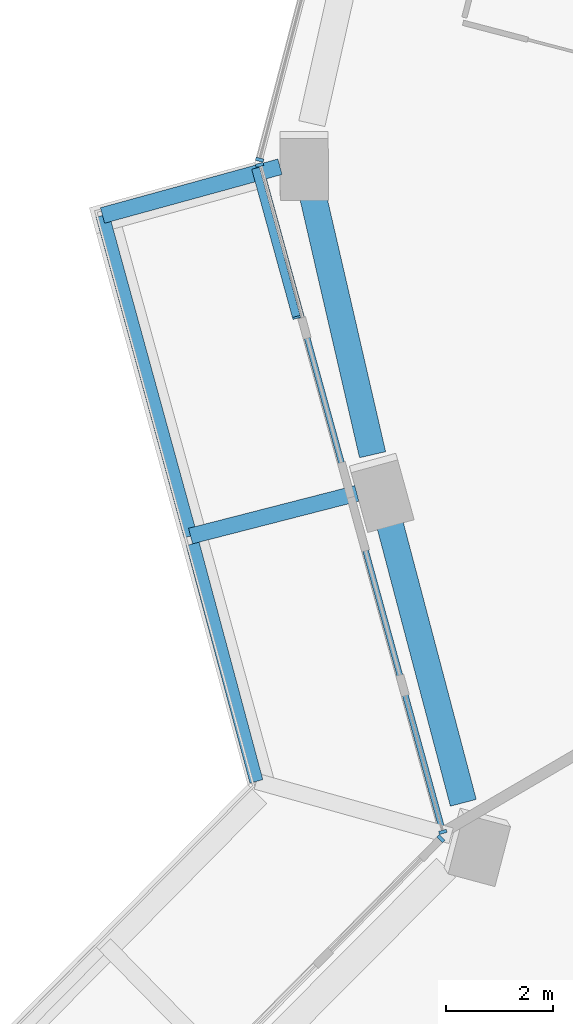
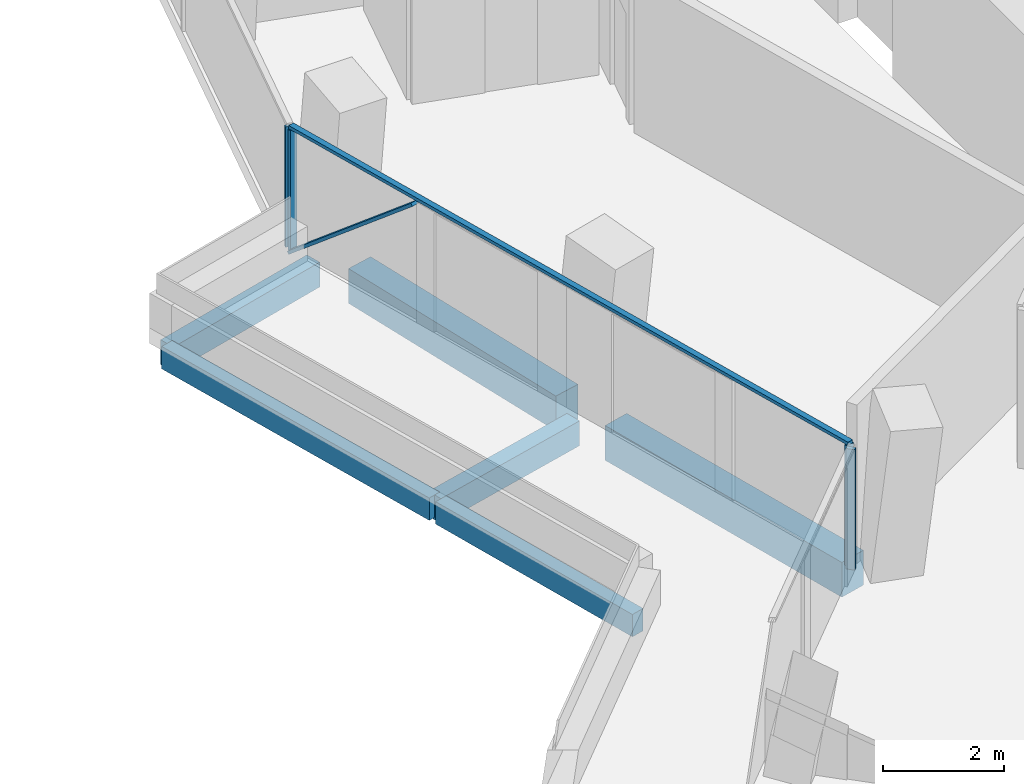
# One storey, part 4 of 26: 6 beams, 6 members, 3 elements without a shape of their own.
"""IFC4 building model written with IfcOpenShell, lengths in metres."""

from ifc_helpers import new_model, si_unit, direction, frame, origin, origin_2d, place, context, subcontext, project, spatial, rectangle, extrude, material, layer, layer_set, material_profile, profile_set, type_object, element, aggregate, save


model = new_model("IFC4")

# Units and contexts
model_context = context("Model", 3, precision=1e-05, world=origin(), true_north=direction((0.0, 1.0)))
body_context = subcontext(model_context, "Body", "Model", "MODEL_VIEW")
ifc_project = project(units=[si_unit("LENGTHUNIT", "METRE"), si_unit("AREAUNIT", "SQUARE_METRE"), si_unit("VOLUMEUNIT", "CUBIC_METRE"), si_unit("PLANEANGLEUNIT", "RADIAN"), si_unit("MASSUNIT", "GRAM", prefix="KILO")], contexts=[model_context])

# Site, building, storey
site_placement = place(None, origin())
site = spatial("IfcSite", under=ifc_project, at=site_placement, CompositionType="ELEMENT")
building_placement = place(site_placement, origin())
building = spatial("IfcBuilding", under=site, at=building_placement, Name="Verdalira Terraces Hotel", CompositionType="ELEMENT")
storey_placement = place(building_placement, frame((0.0, 0.0, 96.5)))
storey = spatial("IfcBuildingStorey", under=building, at=storey_placement, Name="L22", CompositionType="ELEMENT", Elevation=96.5)

# Beams
ifc_material_1 = material(Name="Concrete C40", Category="concrete")
ifc_material_profile_1 = material_profile(ifc_material_1, rectangle(XDim=0.300049, YDim=0.5, at=origin_2d()), Name="RC 300X500")
ifc_profile_set_1 = profile_set([ifc_material_profile_1], Name="Concrete C40")
beam_type_1 = type_object("IfcBeamType", Name="Balcony cantilever beam RC 300X500 C40", PredefinedType="BEAM", material=ifc_profile_set_1)
beam_1_placement = place(storey_placement, frame((-24.643311, -0.23999, -0.560059), z_axis=(-0.964284472, -0.264868754, 0.0), x_axis=(0.264868754, -0.964284472, 0.0)))
element("IfcBeam", 1, at=beam_1_placement, inside=storey, type_object=beam_type_1, Name="Balcony cantilever beam R13-3", PredefinedType="BEAM", context=body_context, shape_type="SweptSolid", body=[
    extrude(rectangle(XDim=0.300049, YDim=0.5, at=origin_2d()), origin(), (0.0, 0.0, 1.0), 3.431641),
])
beam_2_placement = place(storey_placement, frame((-23.209961, -6.331543, -0.560059), z_axis=(-0.968593247, -0.248650601, 0.0), x_axis=(0.248650601, -0.968593247, 0.0)))
element("IfcBeam", 2, at=beam_2_placement, inside=storey, type_object=beam_type_1, Name="Balcony cantilever beam R13-4", PredefinedType="BEAM", context=body_context, shape_type="SweptSolid", body=[
    extrude(rectangle(XDim=0.300049, YDim=0.5, at=origin_2d()), origin(), (0.0, 0.0, 1.0), 3.200928),
])
ifc_material_2 = material(Name="Concrete C40", Category="concrete")
ifc_material_profile_2 = material_profile(ifc_material_2, rectangle(XDim=0.25, YDim=0.449951, at=origin_2d()), Name="RC 250X450")
ifc_profile_set_2 = profile_set([ifc_material_profile_2], Name="Concrete C40")
beam_type_2 = type_object("IfcBeamType", Name="Balcony edge beam RC 250X450 C40", PredefinedType="BEAM", material=ifc_profile_set_2)
beam_3_placement = place(storey_placement, frame((-27.952393, -1.148926, -0.534912), z_axis=(0.264856273, -0.9642879, 0.0), x_axis=(0.9642879, 0.264856273, 0.0)))
element("IfcBeam", 3, at=beam_3_placement, inside=storey, type_object=beam_type_2, Name="Balcony edge beam R13-2", PredefinedType="BEAM", context=body_context, shape_type="SweptSolid", body=[
    extrude(rectangle(XDim=0.25, YDim=0.449951, at=origin_2d()), origin(), (0.0, 0.0, 1.0), 6.199951),
])
beam_4_placement = place(storey_placement, frame((-26.27124, -7.272461, -0.534912), z_axis=(0.259070432, -0.965858432, 0.0), x_axis=(0.965858432, 0.259070432, 0.0)))
element("IfcBeam", 4, at=beam_4_placement, inside=storey, type_object=beam_type_2, Name="Balcony edge beam R13-3", PredefinedType="BEAM", context=body_context, shape_type="SweptSolid", body=[
    extrude(rectangle(XDim=0.25, YDim=0.449951, at=origin_2d()), origin(), (0.0, 0.0, 1.0), 4.586426),
])

# Curtain wall, member
ifc_material_3 = material(Name="Clear glass", Category="glass")
ifc_layer_1 = layer(ifc_material_3, 0.14990234375)
ifc_layer_set_1 = layer_set([ifc_layer_1], Name="CW1 curtain wall")
curtain_wall_type_1 = type_object("IfcCurtainWallType", Name="CW1 curtain wall", PredefinedType="NOTDEFINED", material=ifc_layer_set_1)
curtain_wall_1_placement = place(storey_placement, origin())
curtain_wall_1 = element("IfcCurtainWall", 5, at=curtain_wall_1_placement, inside=storey, type_object=curtain_wall_type_1, Name="CW1 curtain wall L22 edge 12", PredefinedType="NOTDEFINED")
ifc_material_4 = material(Name="Terracotta frame", Category="masonry")
ifc_material_profile_3 = material_profile(ifc_material_4, rectangle(XDim=0.060059, YDim=0.149902, at=origin_2d()), Name="MU 60x150")
ifc_profile_set_3 = profile_set([ifc_material_profile_3], Name="Terracotta frame")
member_type_1 = type_object("IfcMemberType", Name="CW1 mullion 60x150", PredefinedType="MULLION", material=ifc_profile_set_3)
member_1_placement = place(storey_placement, frame((-25.023193, -0.108887, 0.0), z_axis=(0.0, 0.0, 1.0), x_axis=(-0.252744885, -0.967532957, 0.0)))
member_1 = element("IfcMember", 6, at=member_1_placement, type_object=member_type_1, Name="CW1 mullion", PredefinedType="MULLION", context=body_context, shape_type="SweptSolid", body=[
    extrude(rectangle(XDim=0.060059, YDim=0.149902, at=origin_2d()), origin(), (0.0, 0.0, 1.0), 2.425049),
])
aggregate(curtain_wall_1, [member_1])

# Curtain wall, members
curtain_wall_2_placement = place(storey_placement, origin())
curtain_wall_2 = element("IfcCurtainWall", 7, at=curtain_wall_2_placement, inside=storey, type_object=curtain_wall_type_1, Name="CW1 curtain wall L22 edge 13", PredefinedType="NOTDEFINED")
member_2_placement = place(storey_placement, frame((-25.022705, -0.205566, 0.0), z_axis=(0.0, 0.0, 1.0), x_axis=(0.264882987, -0.964280562, 0.0)))
member_2 = element("IfcMember", 8, at=member_2_placement, type_object=member_type_1, Name="CW1 mullion", PredefinedType="MULLION", context=body_context, shape_type="SweptSolid", body=[
    extrude(rectangle(XDim=0.060059, YDim=0.149902, at=origin_2d()), origin(), (0.0, 0.0, 1.0), 2.425049),
])
member_3_placement = place(storey_placement, frame((-21.605713, -12.644531, 0.0), z_axis=(0.0, 0.0, 1.0), x_axis=(0.264882987, -0.964280562, 0.0)))
member_3 = element("IfcMember", 9, at=member_3_placement, type_object=member_type_1, Name="CW1 mullion", PredefinedType="MULLION", context=body_context, shape_type="SweptSolid", body=[
    extrude(rectangle(XDim=0.060059, YDim=0.149902, at=origin_2d()), origin(), (0.0, 0.0, 1.0), 2.425049),
])
ifc_material_5 = material(Name="Terracotta frame", Category="masonry")
ifc_material_profile_4 = material_profile(ifc_material_5, rectangle(XDim=0.110107, YDim=0.064941, at=origin_2d()), Name="TR 65x110")
ifc_profile_set_4 = profile_set([ifc_material_profile_4], Name="Terracotta frame")
member_type_2 = type_object("IfcMemberType", Name="CW1 transom 65x110", PredefinedType="USERDEFINED", material=ifc_profile_set_4)
member_4_placement = place(storey_placement, frame((-25.030518, -0.176758, 2.45752), z_axis=(0.264886321, -0.964279647, 0.0), x_axis=(0.964279647, 0.264886321, 0.0)))
member_4 = element("IfcMember", 10, at=member_4_placement, type_object=member_type_2, Name="CW1 transom", ObjectType="TRANSOM", PredefinedType="USERDEFINED", context=body_context, shape_type="SweptSolid", body=[
    extrude(rectangle(XDim=0.110107, YDim=0.064941, at=origin_2d()), origin(), (0.0, 0.0, 1.0), 12.959717),
])

# Curtain wall, member
ifc_material_6 = material(Name="Clear glass", Category="glass")
ifc_layer_2 = layer(ifc_material_6, 0.14990234375)
ifc_layer_set_2 = layer_set([ifc_layer_2], Name="CW2 curtain wall")
curtain_wall_type_2 = type_object("IfcCurtainWallType", Name="CW2 curtain wall", PredefinedType="NOTDEFINED", material=ifc_layer_set_2)
curtain_wall_3_placement = place(storey_placement, origin())
curtain_wall_3 = element("IfcCurtainWall", 11, at=curtain_wall_3_placement, inside=storey, type_object=curtain_wall_type_2, Name="CW2 curtain wall L22 edge 14", PredefinedType="NOTDEFINED")
ifc_material_7 = material(Name="Terracotta frame", Category="masonry")
ifc_material_profile_5 = material_profile(ifc_material_7, rectangle(XDim=0.070068, YDim=0.149902, at=origin_2d()), Name="MU 70x150")
ifc_profile_set_5 = profile_set([ifc_material_profile_5], Name="Terracotta frame")
member_type_3 = type_object("IfcMemberType", Name="CW2 mullion 70x150", PredefinedType="MULLION", material=ifc_profile_set_5)
member_5_placement = place(storey_placement, frame((-21.641357, -12.770996, 0.0), z_axis=(0.0, 0.0, 1.0), x_axis=(-0.70264997, -0.711535677, 0.0)))
member_5 = element("IfcMember", 12, at=member_5_placement, type_object=member_type_3, Name="CW2 mullion", PredefinedType="MULLION", context=body_context, shape_type="SweptSolid", body=[
    extrude(rectangle(XDim=0.070068, YDim=0.149902, at=origin_2d()), origin(), (0.0, 0.0, 1.0), 2.425049),
])
aggregate(curtain_wall_3, [member_5])

# Member
ifc_material_8 = material(Name="Terracotta frame", Category="masonry")
ifc_material_profile_6 = material_profile(ifc_material_8, rectangle(XDim=0.149902, YDim=0.060059, at=origin_2d()), Name="GB 60x150")
ifc_profile_set_6 = profile_set([ifc_material_profile_6], Name="Terracotta frame")
member_type_4 = type_object("IfcMemberType", Name="Diagonal glazing bar 60x150", PredefinedType="USERDEFINED", material=ifc_profile_set_6)
member_6_placement = place(storey_placement, frame((-25.092773, -0.286377, 0.024414), z_axis=(0.203941754, -0.742321753, 0.63825244), x_axis=(0.964270698, 0.264918893, 0.0)))
member_6 = element("IfcMember", 13, at=member_6_placement, type_object=member_type_4, Name="Diagonal glazing bar", ObjectType="GLAZING BAR", PredefinedType="USERDEFINED", context=body_context, shape_type="SweptSolid", body=[
    extrude(rectangle(XDim=0.149902, YDim=0.060059, at=origin_2d()), origin(), (0.0, 0.0, 1.0), 3.7229),
])

aggregate(curtain_wall_2, [member_2, member_3, member_4, member_6])

# Beams
ifc_material_9 = material(Name="Concrete C70", Category="concrete")
ifc_material_profile_7 = material_profile(ifc_material_9, rectangle(XDim=0.5, YDim=0.699951, at=origin_2d()), Name="RC 500X700")
ifc_profile_set_7 = profile_set([ifc_material_profile_7], Name="Concrete C70")
beam_type_3 = type_object("IfcBeamType", Name="Spandrel beam RC 500X700 C70", PredefinedType="SPANDREL", material=ifc_profile_set_7)
beam_5_placement = place(storey_placement, frame((-24.042725, -0.723145, -0.659912), z_axis=(0.224649748, -0.974439578, 0.0), x_axis=(0.974439578, 0.224649748, 0.0)))
element("IfcBeam", 14, at=beam_5_placement, inside=storey, type_object=beam_type_3, Name="Spandrel beam B08", PredefinedType="SPANDREL", context=body_context, shape_type="SweptSolid", body=[
    extrude(rectangle(XDim=0.5, YDim=0.699951, at=origin_2d()), origin(), (0.0, 0.0, 1.0), 5.015381),
])
beam_6_placement = place(storey_placement, frame((-22.636963, -6.73999, -0.659912), z_axis=(0.254792361, -0.966995787, 0.0), x_axis=(0.966995787, 0.254792361, 0.0)))
element("IfcBeam", 15, at=beam_6_placement, inside=storey, type_object=beam_type_3, Name="Spandrel beam B09", PredefinedType="SPANDREL", context=body_context, shape_type="SweptSolid", body=[
    extrude(rectangle(XDim=0.5, YDim=0.699951, at=origin_2d()), origin(), (0.0, 0.0, 1.0), 5.545166),
])

save(model, "model.ifc")
